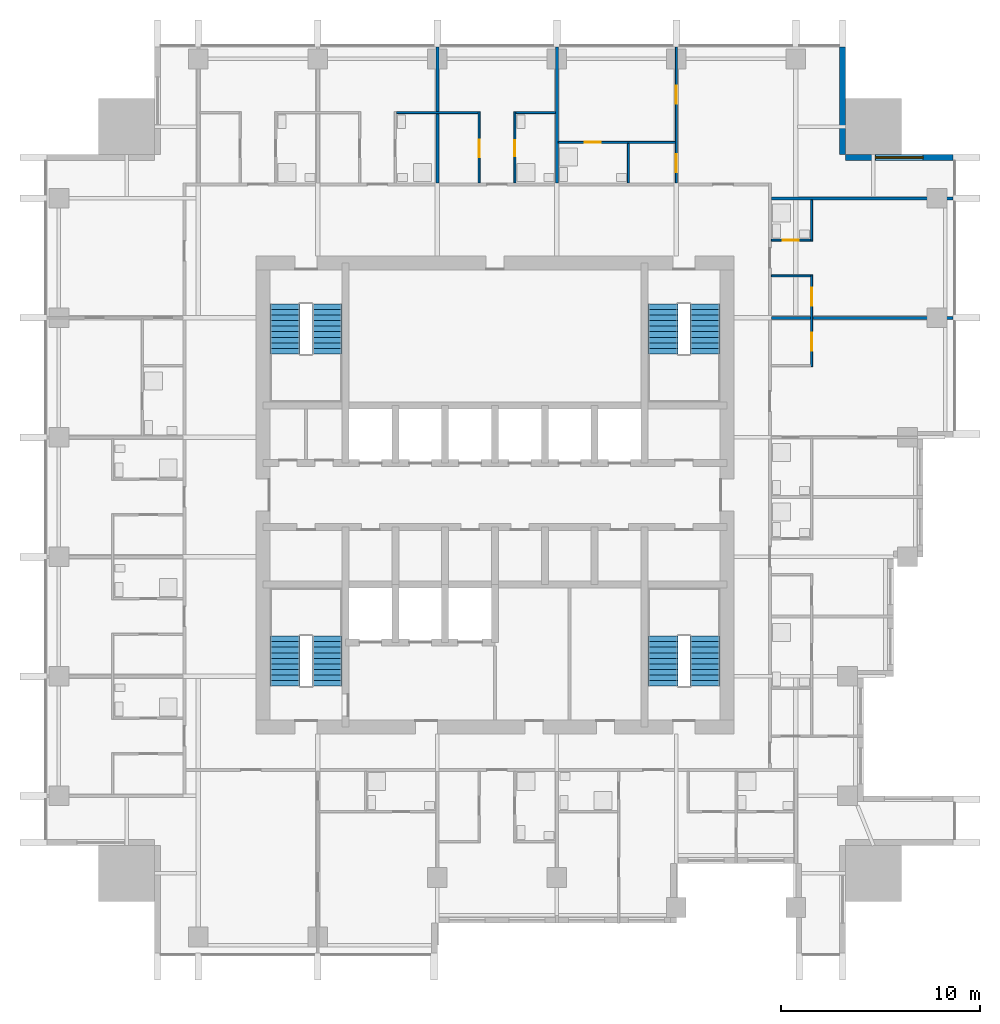
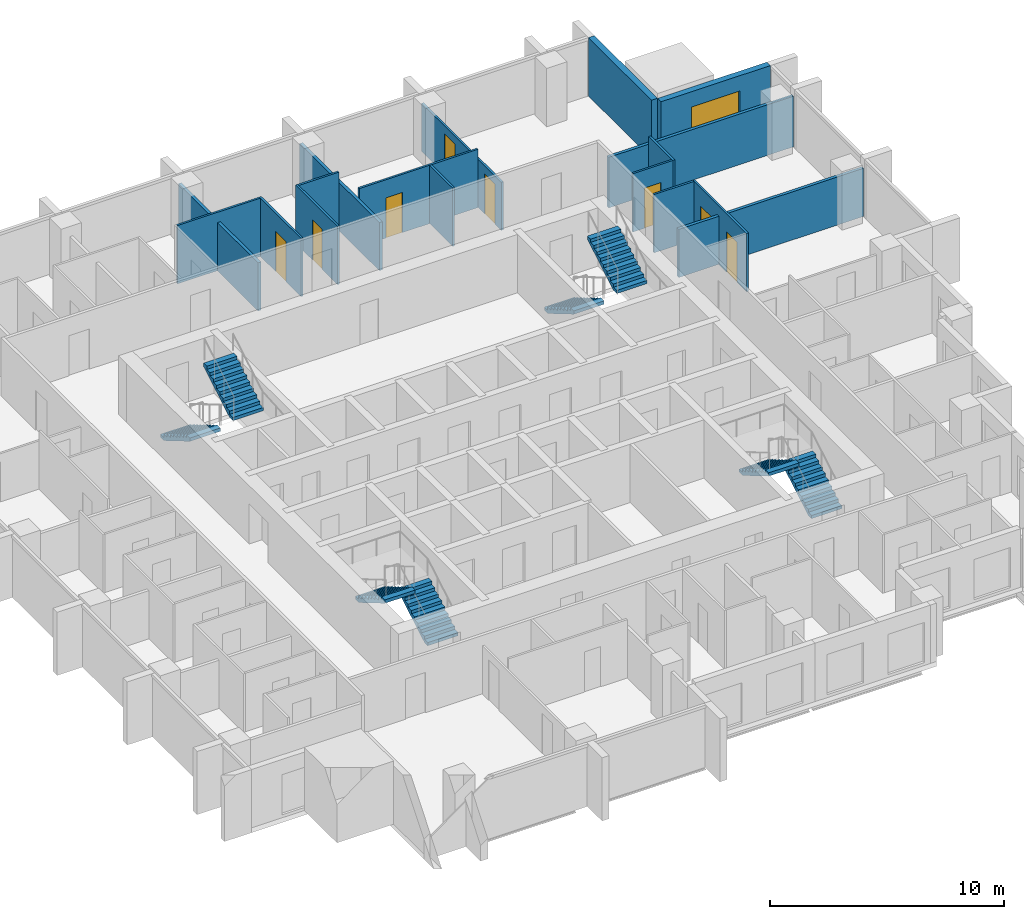
# One storey, part 8 of 10: 17 walls, 8 doors, 8 stair flights, 1 window, 9 openings, 4 elements without a shape of their own.
"""IFC4 building model written with IfcOpenShell, lengths in metres."""

from ifc_helpers import new_model, si_unit, direction, frame, frame_2d, origin, place, context, subcontext, project, spatial, polyline, rectangle, outline, extrude, material, layer, layer_set, type_object, element, fill, aggregate, save


model = new_model("IFC4")

# Units and contexts
model_context = context("Model", 3, precision=1e-05, world=origin(), true_north=direction((0.0, 1.0)))
body_context = subcontext(model_context, "Body", "Model", "MODEL_VIEW")
ifc_project = project(units=[si_unit("LENGTHUNIT", "METRE"), si_unit("AREAUNIT", "SQUARE_METRE"), si_unit("VOLUMEUNIT", "CUBIC_METRE"), si_unit("PLANEANGLEUNIT", "RADIAN"), si_unit("MASSUNIT", "GRAM", prefix="KILO")], contexts=[model_context])

# Site, building, storey
site_placement = place(None, origin())
site = spatial("IfcSite", under=ifc_project, at=site_placement, CompositionType="ELEMENT")
building_placement = place(site_placement, origin())
building = spatial("IfcBuilding", under=site, at=building_placement, Name="Amberfall Residences", CompositionType="ELEMENT")
storey_placement = place(building_placement, frame((0.0, 0.0, 158.199951171875)))
storey = spatial("IfcBuildingStorey", under=building, at=storey_placement, Name="L42", CompositionType="ELEMENT", Elevation=158.199951171875)

# Wall, opening, window
ifc_material_1 = material(Name="Pale stone cladding on insulated backing", Category="masonry")
ifc_layer_1 = layer(ifc_material_1, 0.300048828125)
ifc_layer_set_1 = layer_set([ifc_layer_1], Name="Bronze clad wall 300")
wall_type_1 = type_object("IfcWallType", Name="Bronze clad wall 300", PredefinedType="SOLIDWALL", material=ifc_layer_set_1)
wall_1_placement = place(storey_placement, frame((97.5, 62.449951171875, 0.0), z_axis=(0.0, 0.0, 1.0), x_axis=(-1.0, 0.0, 0.0)))
wall_1 = element("IfcWall", 1, at=wall_1_placement, inside=storey, type_object=wall_type_1, Name="External wall L42 NE", PredefinedType="SOLIDWALL", context=body_context, shape_type="SweptSolid", body=[
    extrude(rectangle(XDim=5.39990234375, YDim=0.300048828125, at=frame_2d((2.699951171875, 0.0))), origin(), (0.0, 0.0, 1.0), 3.050048828125),
])
opening_1_placement = place(wall_1_placement, frame((1.5, 0.0, 0.14990234375)))
opening_1 = element("IfcOpeningElement", 2, at=opening_1_placement, cuts=wall_1, Name="Opening WN5", PredefinedType="OPENING", context=body_context, shape_type="SweptSolid", body=[
    extrude(rectangle(XDim=2.39990234375, YDim=2.10009765625, at=frame_2d((1.199951171875, 1.050048828125))), frame((0.0, 0.159912109375, 0.0), z_axis=(0.0, -1.0, 0.0), x_axis=(1.0, 0.0, 0.0)), (0.0, 0.0, 1.0), 0.320068359375),
])
ifc_material_2 = material(Name="Bronze aluminium framed glazing", Category="aluminium")
window_type = type_object("IfcWindowType", Name="Glazed opening 2400 x 2100 bronze", PartitioningType="DOUBLE_PANEL_VERTICAL", PredefinedType="WINDOW", material=ifc_material_2)
window_placement = place(opening_1_placement, origin())
window = element("IfcWindow", 3, at=window_placement, inside=storey, type_object=window_type, Name="Window L42 NE", OverallHeight=2.10009765625, OverallWidth=2.39990234375, PartitioningType="DOUBLE_PANEL_VERTICAL", PredefinedType="WINDOW", context=body_context, shape_type="SweptSolid", body=[
    extrude(rectangle(XDim=2.39990234375, YDim=2.10009765625, at=frame_2d((1.199951171875, 1.050048828125))), frame((0.0, 0.030029296875, 0.0), z_axis=(0.0, -1.0, 0.0), x_axis=(1.0, 0.0, 0.0)), (0.0, 0.0, 1.0), 0.06005859375),
])
fill(opening_1, window)

# Wall
wall_2_placement = place(storey_placement, frame((91.949951171875, 62.60009765625, 0.0), z_axis=(0.0, 0.0, 1.0), x_axis=(0.0, 1.0, 0.0)))
element("IfcWall", 4, at=wall_2_placement, inside=storey, type_object=wall_type_1, Name="External wall L42 NE", PredefinedType="SOLIDWALL", context=body_context, shape_type="SweptSolid", body=[
    extrude(rectangle(XDim=5.39990234375, YDim=0.300048828125, at=frame_2d((2.699951171875, 0.0))), origin(), (0.0, 0.0, 1.0), 3.050048828125),
])

# Wall, opening, door
ifc_material_3 = material(Name="Gypsum board on metal stud")
ifc_layer_2 = layer(ifc_material_3, 0.10009765625)
ifc_layer_set_2 = layer_set([ifc_layer_2], Name="Flat partition 100")
wall_type_2 = type_object("IfcWallType", Name="Flat partition 100", PredefinedType="PARTITIONING", material=ifc_layer_set_2)
wall_3_placement = place(storey_placement, frame((73.699951171875, 61.175048828125, 0.0), z_axis=(0.0, 0.0, 1.0), x_axis=(0.0, 1.0, 0.0)))
wall_3 = element("IfcWall", 5, at=wall_3_placement, inside=storey, type_object=wall_type_2, Name="Partition 013", PredefinedType="PARTITIONING", context=body_context, shape_type="SweptSolid", body=[
    extrude(rectangle(XDim=3.574951171875, YDim=0.10009765625, at=frame_2d((1.78759765625, 0.0))), origin(), (0.0, 0.0, 1.0), 3.050048828125),
])
opening_2_placement = place(wall_3_placement, frame((1.27490234375, 0.0, 0.0)))
opening_2 = element("IfcOpeningElement", 6, at=opening_2_placement, cuts=wall_3, Name="Opening D41", PredefinedType="OPENING", context=body_context, shape_type="SweptSolid", body=[
    extrude(rectangle(XDim=0.89990234375, YDim=2.10009765625, at=frame_2d((0.449951171875, 1.050048828125))), frame((0.0, 0.06005859375, 0.0), z_axis=(0.0, -1.0, 0.0), x_axis=(1.0, 0.0, 0.0)), (0.0, 0.0, 1.0), 0.1201171875),
])
ifc_material_4 = material(Name="Timber", Category="wood")
door_type_1 = type_object("IfcDoorType", Name="Internal door 900 x 2100", OperationType="SINGLE_SWING_LEFT", PredefinedType="DOOR", material=ifc_material_4)
door_1_placement = place(opening_2_placement, origin())
door_1 = element("IfcDoor", 7, at=door_1_placement, inside=storey, type_object=door_type_1, Name="Door 4210 kitchen", OperationType="SINGLE_SWING_LEFT", OverallHeight=2.10009765625, OverallWidth=0.89990234375, PredefinedType="DOOR", context=body_context, shape_type="SweptSolid", body=[
    extrude(rectangle(XDim=0.89990234375, YDim=2.10009765625, at=frame_2d((0.449951171875, 1.050048828125))), frame((0.0, 0.02490234375, 0.0), z_axis=(0.0, -1.0, 0.0), x_axis=(1.0, 0.0, 0.0)), (0.0, 0.0, 1.0), 0.050048828125),
])
fill(opening_2, door_1)

wall_4_placement = place(storey_placement, frame((75.5, 64.75, 0.0), z_axis=(0.0, 0.0, 1.0), x_axis=(0.0, -1.0, 0.0)))
wall_4 = element("IfcWall", 8, at=wall_4_placement, inside=storey, type_object=wall_type_2, Name="Partition 015", PredefinedType="PARTITIONING", context=body_context, shape_type="SweptSolid", body=[
    extrude(rectangle(XDim=3.574951171875, YDim=0.10009765625, at=frame_2d((1.78759765625, 0.0))), origin(), (0.0, 0.0, 1.0), 3.050048828125),
])
opening_3_placement = place(wall_4_placement, frame((1.449951171875, 0.0, 0.0)))
opening_3 = element("IfcOpeningElement", 9, at=opening_3_placement, cuts=wall_4, Name="Opening D42", PredefinedType="OPENING", context=body_context, shape_type="SweptSolid", body=[
    extrude(rectangle(XDim=0.800048828125, YDim=2.10009765625, at=frame_2d((0.39990234375, 1.050048828125))), frame((0.0, 0.06005859375, 0.0), z_axis=(0.0, -1.0, 0.0), x_axis=(1.0, 0.0, 0.0)), (0.0, 0.0, 1.0), 0.1201171875),
])
door_type_2 = type_object("IfcDoorType", Name="Bathroom door 800 x 2100", OperationType="SINGLE_SWING_LEFT", PredefinedType="DOOR", material=ifc_material_4)
door_2_placement = place(opening_3_placement, origin())
door_2 = element("IfcDoor", 10, at=door_2_placement, inside=storey, type_object=door_type_2, Name="Door 4210 bath1", OperationType="SINGLE_SWING_LEFT", OverallHeight=2.10009765625, OverallWidth=0.800048828125, PredefinedType="DOOR", context=body_context, shape_type="SweptSolid", body=[
    extrude(rectangle(XDim=0.800048828125, YDim=2.10009765625, at=frame_2d((0.39990234375, 1.050048828125))), frame((0.0, 0.02490234375, 0.0), z_axis=(0.0, -1.0, 0.0), x_axis=(1.0, 0.0, 0.0)), (0.0, 0.0, 1.0), 0.050048828125),
])
fill(opening_3, door_2)

# Wall
wall_5_placement = place(storey_placement, frame((81.199951171875, 61.175048828125, 0.0), z_axis=(0.0, 0.0, 1.0), x_axis=(0.0, 1.0, 0.0)))
element("IfcWall", 11, at=wall_5_placement, inside=storey, type_object=wall_type_2, Name="Partition 017", PredefinedType="PARTITIONING", context=body_context, shape_type="SweptSolid", body=[
    extrude(rectangle(XDim=1.974853515625, YDim=0.10009765625, at=frame_2d((0.9873046875, 0.0))), origin(), (0.0, 0.0, 1.0), 3.050048828125),
])

# Wall, openings, doors
wall_6_placement = place(storey_placement, frame((83.60009765625, 61.175048828125, 0.0), z_axis=(0.0, 0.0, 1.0), x_axis=(0.0, 1.0, 0.0)))
wall_6 = element("IfcWall", 12, at=wall_6_placement, inside=storey, type_object=wall_type_2, Name="Partition 018", PredefinedType="PARTITIONING", context=body_context, shape_type="SweptSolid", body=[
    extrude(rectangle(XDim=6.824951171875, YDim=0.10009765625, at=frame_2d((3.41259765625, 0.0))), origin(), (0.0, 0.0, 1.0), 2.51611328125),
])
opening_4_placement = place(wall_6_placement, frame((0.52490234375, 0.0, 0.0)))
opening_4 = element("IfcOpeningElement", 13, at=opening_4_placement, cuts=wall_6, Name="Opening D41", PredefinedType="OPENING", context=body_context, shape_type="SweptSolid", body=[
    extrude(rectangle(XDim=0.89990234375, YDim=2.10009765625, at=frame_2d((0.449951171875, 1.050048828125))), frame((0.0, 0.06005859375, 0.0), z_axis=(0.0, -1.0, 0.0), x_axis=(1.0, 0.0, 0.0)), (0.0, 0.0, 1.0), 0.1201171875),
])
opening_5_placement = place(wall_6_placement, frame((3.97509765625, 0.0, 0.0)))
opening_5 = element("IfcOpeningElement", 14, at=opening_5_placement, cuts=wall_6, Name="Opening D41", PredefinedType="OPENING", context=body_context, shape_type="SweptSolid", body=[
    extrude(rectangle(XDim=0.89990234375, YDim=2.10009765625, at=frame_2d((0.449951171875, 1.050048828125))), frame((0.0, 0.06005859375, 0.0), z_axis=(0.0, -1.0, 0.0), x_axis=(1.0, 0.0, 0.0)), (0.0, 0.0, 1.0), 0.1201171875),
])
door_3_placement = place(opening_4_placement, origin())
door_3 = element("IfcDoor", 15, at=door_3_placement, inside=storey, type_object=door_type_1, Name="Door 4211 kitchen", OperationType="SINGLE_SWING_LEFT", OverallHeight=2.10009765625, OverallWidth=0.89990234375, PredefinedType="DOOR", context=body_context, shape_type="SweptSolid", body=[
    extrude(rectangle(XDim=0.89990234375, YDim=2.10009765625, at=frame_2d((0.449951171875, 1.050048828125))), frame((0.0, 0.02490234375, 0.0), z_axis=(0.0, -1.0, 0.0), x_axis=(1.0, 0.0, 0.0)), (0.0, 0.0, 1.0), 0.050048828125),
])
fill(opening_4, door_3)
door_4_placement = place(opening_5_placement, origin())
door_4 = element("IfcDoor", 16, at=door_4_placement, inside=storey, type_object=door_type_1, Name="Door 4211 bedroom1", OperationType="SINGLE_SWING_LEFT", OverallHeight=2.10009765625, OverallWidth=0.89990234375, PredefinedType="DOOR", context=body_context, shape_type="SweptSolid", body=[
    extrude(rectangle(XDim=0.89990234375, YDim=2.10009765625, at=frame_2d((0.449951171875, 1.050048828125))), frame((0.0, 0.02490234375, 0.0), z_axis=(0.0, -1.0, 0.0), x_axis=(1.0, 0.0, 0.0)), (0.0, 0.0, 1.0), 0.050048828125),
])
fill(opening_5, door_4)

wall_7_placement = place(storey_placement, frame((90.39990234375, 51.949951171875, 0.0), z_axis=(0.0, 0.0, 1.0), x_axis=(0.0, 1.0, 0.0)))
wall_7 = element("IfcWall", 17, at=wall_7_placement, inside=storey, type_object=wall_type_2, Name="Partition 023", PredefinedType="PARTITIONING", context=body_context, shape_type="SweptSolid", body=[
    extrude(rectangle(XDim=4.60009765625, YDim=0.10009765625, at=frame_2d((2.300048828125, 0.0))), origin(), (0.0, 0.0, 1.0), 3.050048828125),
])
opening_6_placement = place(wall_7_placement, frame((0.800048828125, 0.0, 0.0)))
opening_6 = element("IfcOpeningElement", 18, at=opening_6_placement, cuts=wall_7, Name="Opening D41", PredefinedType="OPENING", context=body_context, shape_type="SweptSolid", body=[
    extrude(rectangle(XDim=0.89990234375, YDim=2.10009765625, at=frame_2d((0.449951171875, 1.050048828125))), frame((0.0, 0.06005859375, 0.0), z_axis=(0.0, -1.0, 0.0), x_axis=(1.0, 0.0, 0.0)), (0.0, 0.0, 1.0), 0.1201171875),
])
opening_7_placement = place(wall_7_placement, frame((3.050048828125, 0.0, 0.0)))
opening_7 = element("IfcOpeningElement", 19, at=opening_7_placement, cuts=wall_7, Name="Opening D41", PredefinedType="OPENING", context=body_context, shape_type="SweptSolid", body=[
    extrude(rectangle(XDim=0.89990234375, YDim=2.10009765625, at=frame_2d((0.449951171875, 1.050048828125))), frame((0.0, 0.06005859375, 0.0), z_axis=(0.0, -1.0, 0.0), x_axis=(1.0, 0.0, 0.0)), (0.0, 0.0, 1.0), 0.1201171875),
])
door_5_placement = place(opening_6_placement, origin())
door_5 = element("IfcDoor", 20, at=door_5_placement, inside=storey, type_object=door_type_1, Name="Door 4206 kitchen", OperationType="SINGLE_SWING_LEFT", OverallHeight=2.10009765625, OverallWidth=0.89990234375, PredefinedType="DOOR", context=body_context, shape_type="SweptSolid", body=[
    extrude(rectangle(XDim=0.89990234375, YDim=2.10009765625, at=frame_2d((0.449951171875, 1.050048828125))), frame((0.0, 0.02490234375, 0.0), z_axis=(0.0, -1.0, 0.0), x_axis=(1.0, 0.0, 0.0)), (0.0, 0.0, 1.0), 0.050048828125),
])
fill(opening_6, door_5)
door_6_placement = place(opening_7_placement, origin())
door_6 = element("IfcDoor", 21, at=door_6_placement, inside=storey, type_object=door_type_1, Name="Door 4207 kitchen", OperationType="SINGLE_SWING_LEFT", OverallHeight=2.10009765625, OverallWidth=0.89990234375, PredefinedType="DOOR", context=body_context, shape_type="SweptSolid", body=[
    extrude(rectangle(XDim=0.89990234375, YDim=2.10009765625, at=frame_2d((0.449951171875, 1.050048828125))), frame((0.0, 0.02490234375, 0.0), z_axis=(0.0, -1.0, 0.0), x_axis=(1.0, 0.0, 0.0)), (0.0, 0.0, 1.0), 0.050048828125),
])
fill(opening_7, door_6)

# Walls
wall_8_placement = place(storey_placement, frame((90.39990234375, 58.25, 0.0), z_axis=(0.0, 0.0, 1.0), x_axis=(0.0, 1.0, 0.0)))
element("IfcWall", 22, at=wall_8_placement, inside=storey, type_object=wall_type_2, Name="Partition 024", PredefinedType="PARTITIONING", context=body_context, shape_type="SweptSolid", body=[
    extrude(rectangle(XDim=2.074951171875, YDim=0.10009765625, at=frame_2d((1.03759765625, 0.0))), origin(), (0.0, 0.0, 1.0), 3.050048828125),
])
wall_9_placement = place(storey_placement, frame((69.550048828125, 64.699951171875, 0.0), z_axis=(0.0, 0.0, 1.0), x_axis=(1.0, 0.0, 0.0)))
element("IfcWall", 23, at=wall_9_placement, inside=storey, type_object=wall_type_2, Name="Partition 027", PredefinedType="PARTITIONING", context=body_context, shape_type="SweptSolid", body=[
    extrude(rectangle(XDim=4.099853515625, YDim=0.10009765625, at=frame_2d((2.0498046875, 0.0))), origin(), (0.0, 0.0, 1.0), 3.050048828125),
])
wall_10_placement = place(storey_placement, frame((75.550048828125, 64.699951171875, 0.0), z_axis=(0.0, 0.0, 1.0), x_axis=(1.0, 0.0, 0.0)))
element("IfcWall", 24, at=wall_10_placement, inside=storey, type_object=wall_type_2, Name="Partition 028", PredefinedType="PARTITIONING", context=body_context, shape_type="SweptSolid", body=[
    extrude(rectangle(XDim=1.974853515625, YDim=0.10009765625, at=frame_2d((0.9873046875, 0.0))), origin(), (0.0, 0.0, 1.0), 3.050048828125),
])

# Wall, opening, door
wall_11_placement = place(storey_placement, frame((83.550048828125, 63.199951171875, 0.0), z_axis=(0.0, 0.0, 1.0), x_axis=(-1.0, 0.0, 0.0)))
wall_11 = element("IfcWall", 25, at=wall_11_placement, inside=storey, type_object=wall_type_2, Name="Partition 029", PredefinedType="PARTITIONING", context=body_context, shape_type="SweptSolid", body=[
    extrude(rectangle(XDim=5.875, YDim=0.10009765625, at=frame_2d((2.9375, 0.0))), origin(), (0.0, 0.0, 1.0), 3.050048828125),
])
opening_8_placement = place(wall_11_placement, frame((3.75, 0.0, 0.0)))
opening_8 = element("IfcOpeningElement", 26, at=opening_8_placement, cuts=wall_11, Name="Opening D42", PredefinedType="OPENING", context=body_context, shape_type="SweptSolid", body=[
    extrude(rectangle(XDim=0.800048828125, YDim=2.10009765625, at=frame_2d((0.39990234375, 1.050048828125))), frame((0.0, 0.06005859375, 0.0), z_axis=(0.0, -1.0, 0.0), x_axis=(1.0, 0.0, 0.0)), (0.0, 0.0, 1.0), 0.1201171875),
])
door_7_placement = place(opening_8_placement, origin())
door_7 = element("IfcDoor", 27, at=door_7_placement, inside=storey, type_object=door_type_2, Name="Door 4211 bath1", OperationType="SINGLE_SWING_LEFT", OverallHeight=2.10009765625, OverallWidth=0.800048828125, PredefinedType="DOOR", context=body_context, shape_type="SweptSolid", body=[
    extrude(rectangle(XDim=0.800048828125, YDim=2.10009765625, at=frame_2d((0.39990234375, 1.050048828125))), frame((0.0, 0.02490234375, 0.0), z_axis=(0.0, -1.0, 0.0), x_axis=(1.0, 0.0, 0.0)), (0.0, 0.0, 1.0), 0.050048828125),
])
fill(opening_8, door_7)

wall_12_placement = place(storey_placement, frame((88.375, 58.300048828125, 0.0), z_axis=(0.0, 0.0, 1.0), x_axis=(1.0, 0.0, 0.0)))
wall_12 = element("IfcWall", 28, at=wall_12_placement, inside=storey, type_object=wall_type_2, Name="Partition 030", PredefinedType="PARTITIONING", context=body_context, shape_type="SweptSolid", body=[
    extrude(rectangle(XDim=1.97509765625, YDim=0.10009765625, at=frame_2d((0.987548828125, 0.0))), origin(), (0.0, 0.0, 1.0), 3.050048828125),
])
opening_9_placement = place(wall_12_placement, frame((0.574951171875, 0.0, 0.0)))
opening_9 = element("IfcOpeningElement", 29, at=opening_9_placement, cuts=wall_12, Name="Opening D42", PredefinedType="OPENING", context=body_context, shape_type="SweptSolid", body=[
    extrude(rectangle(XDim=0.800048828125, YDim=2.10009765625, at=frame_2d((0.39990234375, 1.050048828125))), frame((0.0, 0.06005859375, 0.0), z_axis=(0.0, -1.0, 0.0), x_axis=(1.0, 0.0, 0.0)), (0.0, 0.0, 1.0), 0.1201171875),
])
door_8_placement = place(opening_9_placement, origin())
door_8 = element("IfcDoor", 30, at=door_8_placement, inside=storey, type_object=door_type_2, Name="Door 4207 bath1", OperationType="SINGLE_SWING_LEFT", OverallHeight=2.10009765625, OverallWidth=0.800048828125, PredefinedType="DOOR", context=body_context, shape_type="SweptSolid", body=[
    extrude(rectangle(XDim=0.800048828125, YDim=2.10009765625, at=frame_2d((0.39990234375, 1.050048828125))), frame((0.0, 0.02490234375, 0.0), z_axis=(0.0, -1.0, 0.0), x_axis=(1.0, 0.0, 0.0)), (0.0, 0.0, 1.0), 0.050048828125),
])
fill(opening_9, door_8)

# Walls
wall_13_placement = place(storey_placement, frame((88.375, 56.5, 0.0), z_axis=(0.0, 0.0, 1.0), x_axis=(1.0, 0.0, 0.0)))
element("IfcWall", 31, at=wall_13_placement, inside=storey, type_object=wall_type_2, Name="Partition 031", PredefinedType="PARTITIONING", context=body_context, shape_type="SweptSolid", body=[
    extrude(rectangle(XDim=1.97509765625, YDim=0.10009765625, at=frame_2d((0.987548828125, 0.0))), origin(), (0.0, 0.0, 1.0), 3.050048828125),
])
ifc_material_5 = material(Name="Blockwork, plastered", Category="masonry")
ifc_layer_3 = layer(ifc_material_5, 0.14990234375)
ifc_layer_set_3 = layer_set([ifc_layer_3], Name="Flat separating wall 150")
wall_type_3 = type_object("IfcWallType", Name="Flat separating wall 150", PredefinedType="PARTITIONING", material=ifc_layer_set_3)
for number, where, z_axis, x_axis, name in (
    (32, (71.60009765625, 61.175048828125, 0.0), (0.0, 0.0, 1.0), (0.0, 1.0, 0.0), "Separating wall 055"),
    (33, (77.60009765625, 61.175048828125, 0.0), (0.0, 0.0, 1.0), (0.0, 1.0, 0.0), "Separating wall 057"),
):
    element("IfcWall", number, at=place(storey_placement, frame(where, z_axis=z_axis, x_axis=x_axis)), inside=storey, type_object=wall_type_3, Name=name, PredefinedType="PARTITIONING", context=body_context, shape_type="SweptSolid", body=[
        extrude(rectangle(XDim=6.824951171875, YDim=0.14990234375, at=frame_2d((3.41259765625, 0.0))), origin(), (0.0, 0.0, 1.0), 2.51611328125),
    ])
wall_14_placement = place(storey_placement, frame((88.375, 60.39990234375, 0.0), z_axis=(0.0, 0.0, 1.0), x_axis=(1.0, 0.0, 0.0)))
element("IfcWall", 34, at=wall_14_placement, inside=storey, type_object=wall_type_3, Name="Separating wall 061", PredefinedType="PARTITIONING", context=body_context, shape_type="SweptSolid", body=[
    extrude(rectangle(XDim=9.125, YDim=0.14990234375, at=frame_2d((4.5625, 0.0))), origin(), (0.0, 0.0, 1.0), 2.64697265625),
])
wall_15_placement = place(storey_placement, frame((88.375, 54.39990234375, 0.0), z_axis=(0.0, 0.0, 1.0), x_axis=(1.0, 0.0, 0.0)))
element("IfcWall", 35, at=wall_15_placement, inside=storey, type_object=wall_type_3, Name="Separating wall 062", PredefinedType="PARTITIONING", context=body_context, shape_type="SweptSolid", body=[
    extrude(rectangle(XDim=9.125, YDim=0.14990234375, at=frame_2d((4.5625, 0.0))), origin(), (0.0, 0.0, 1.0), 2.51611328125),
])

# Stair, stair flights
ifc_material_6 = material(Name="Concrete C40", Category="concrete")
stair_type = type_object("IfcStairType", Name="Exit stair 20 risers 165.0 mm", PredefinedType="HALF_TURN_STAIR", material=ifc_material_6)
stair_1_placement = place(storey_placement, origin())
stair_1 = element("IfcStair", 36, at=stair_1_placement, inside=storey, type_object=stair_type, Name="L42 Exit stair 1", PredefinedType="HALF_TURN_STAIR")
stair_flight_type = type_object("IfcStairFlightType", Name="Stair flight 10 risers 165.0 mm", PredefinedType="STRAIGHT", material=ifc_material_6)
stair_flight_1_placement = place(storey_placement, frame((66.074951171875, 35.89990234375, 0.0), z_axis=(0.0, 0.0, 1.0), x_axis=(0.0, 1.0, 0.0)))
stair_flight_1 = element("IfcStairFlight", 37, at=stair_flight_1_placement, type_object=stair_flight_type, Name="ST3 flight 1", NumberOfRisers=10, NumberOfTreads=9, PredefinedType="STRAIGHT", RiserHeight=0.165, TreadLength=0.28, context=body_context, shape_type="SweptSolid", body=[
    extrude(outline(polyline([(0.0, 0.0), (0.0, 0.1650390625), (0.280029296875, 0.1650390625), (0.280029296875, 0.330078125), (0.56005859375, 0.330078125), (0.56005859375, 0.4951171875), (0.840087890625, 0.4951171875), (0.840087890625, 0.659912109375), (1.1201171875, 0.659912109375), (1.1201171875, 0.824951171875), (1.39990234375, 0.824951171875), (1.39990234375, 0.989990234375), (1.679931640625, 0.989990234375), (1.679931640625, 1.155029296875), (1.9599609375, 1.155029296875), (1.9599609375, 1.320068359375), (2.239990234375, 1.320068359375), (2.239990234375, 1.485107421875), (2.52001953125, 1.485107421875), (2.52001953125, 1.64990234375), (2.52001953125, 1.31103515625), (0.295166015625, 0.0), (0.0, 0.0)])), frame((0.0, 0.75, 0.0), z_axis=(0.0, -1.0, 0.0), x_axis=(1.0, 0.0, 0.0)), (0.0, 0.0, 1.0), 1.5),
])
stair_flight_2_placement = place(storey_placement, frame((63.949951171875, 38.419921875, 1.650146484375), z_axis=(0.0, 0.0, 1.0), x_axis=(0.0, -1.0, 0.0)))
stair_flight_2 = element("IfcStairFlight", 38, at=stair_flight_2_placement, type_object=stair_flight_type, Name="ST3 flight 2", NumberOfRisers=10, NumberOfTreads=9, PredefinedType="STRAIGHT", RiserHeight=0.165, TreadLength=0.28, context=body_context, shape_type="SweptSolid", body=[
    extrude(outline(polyline([(0.0, 0.0), (0.0, 0.1650390625), (0.280029296875, 0.1650390625), (0.280029296875, 0.330078125), (0.56005859375, 0.330078125), (0.56005859375, 0.4951171875), (0.840087890625, 0.4951171875), (0.840087890625, 0.659912109375), (1.1201171875, 0.659912109375), (1.1201171875, 0.824951171875), (1.39990234375, 0.824951171875), (1.39990234375, 0.989990234375), (1.679931640625, 0.989990234375), (1.679931640625, 1.155029296875), (1.9599609375, 1.155029296875), (1.9599609375, 1.320068359375), (2.239990234375, 1.320068359375), (2.239990234375, 1.485107421875), (2.52001953125, 1.485107421875), (2.52001953125, 1.64990234375), (2.52001953125, 1.31103515625), (0.295166015625, 0.0), (0.0, 0.0)])), frame((0.0, 0.75, 0.0), z_axis=(0.0, -1.0, 0.0), x_axis=(1.0, 0.0, 0.0)), (0.0, 0.0, 1.0), 1.5),
])
aggregate(stair_1, [stair_flight_1, stair_flight_2])

stair_2_placement = place(storey_placement, origin())
stair_2 = element("IfcStair", 39, at=stair_2_placement, inside=storey, type_object=stair_type, Name="L42 Exit stair 2", PredefinedType="HALF_TURN_STAIR")
stair_flight_3_placement = place(storey_placement, frame((85.050048828125, 35.89990234375, 0.0), z_axis=(0.0, 0.0, 1.0), x_axis=(0.0, 1.0, 0.0)))
stair_flight_3 = element("IfcStairFlight", 40, at=stair_flight_3_placement, type_object=stair_flight_type, Name="ST3 flight 1", NumberOfRisers=10, NumberOfTreads=9, PredefinedType="STRAIGHT", RiserHeight=0.165, TreadLength=0.28, context=body_context, shape_type="SweptSolid", body=[
    extrude(outline(polyline([(0.0, 0.0), (0.0, 0.1650390625), (0.280029296875, 0.1650390625), (0.280029296875, 0.330078125), (0.56005859375, 0.330078125), (0.56005859375, 0.4951171875), (0.840087890625, 0.4951171875), (0.840087890625, 0.659912109375), (1.1201171875, 0.659912109375), (1.1201171875, 0.824951171875), (1.39990234375, 0.824951171875), (1.39990234375, 0.989990234375), (1.679931640625, 0.989990234375), (1.679931640625, 1.155029296875), (1.9599609375, 1.155029296875), (1.9599609375, 1.320068359375), (2.239990234375, 1.320068359375), (2.239990234375, 1.485107421875), (2.52001953125, 1.485107421875), (2.52001953125, 1.64990234375), (2.52001953125, 1.31103515625), (0.295166015625, 0.0), (0.0, 0.0)])), frame((0.0, 0.75, 0.0), z_axis=(0.0, -1.0, 0.0), x_axis=(1.0, 0.0, 0.0)), (0.0, 0.0, 1.0), 1.5),
])
stair_flight_4_placement = place(storey_placement, frame((82.925048828125, 38.419921875, 1.650146484375), z_axis=(0.0, 0.0, 1.0), x_axis=(0.0, -1.0, 0.0)))
stair_flight_4 = element("IfcStairFlight", 41, at=stair_flight_4_placement, type_object=stair_flight_type, Name="ST3 flight 2", NumberOfRisers=10, NumberOfTreads=9, PredefinedType="STRAIGHT", RiserHeight=0.165, TreadLength=0.28, context=body_context, shape_type="SweptSolid", body=[
    extrude(outline(polyline([(0.0, 0.0), (0.0, 0.1650390625), (0.280029296875, 0.1650390625), (0.280029296875, 0.330078125), (0.56005859375, 0.330078125), (0.56005859375, 0.4951171875), (0.840087890625, 0.4951171875), (0.840087890625, 0.659912109375), (1.1201171875, 0.659912109375), (1.1201171875, 0.824951171875), (1.39990234375, 0.824951171875), (1.39990234375, 0.989990234375), (1.679931640625, 0.989990234375), (1.679931640625, 1.155029296875), (1.9599609375, 1.155029296875), (1.9599609375, 1.320068359375), (2.239990234375, 1.320068359375), (2.239990234375, 1.485107421875), (2.52001953125, 1.485107421875), (2.52001953125, 1.64990234375), (2.52001953125, 1.31103515625), (0.295166015625, 0.0), (0.0, 0.0)])), frame((0.0, 0.75, 0.0), z_axis=(0.0, -1.0, 0.0), x_axis=(1.0, 0.0, 0.0)), (0.0, 0.0, 1.0), 1.5),
])
aggregate(stair_2, [stair_flight_3, stair_flight_4])

stair_3_placement = place(storey_placement, origin())
stair_3 = element("IfcStair", 42, at=stair_3_placement, inside=storey, type_object=stair_type, Name="L42 Exit stair 3", PredefinedType="HALF_TURN_STAIR")
stair_flight_5_placement = place(storey_placement, frame((82.925048828125, 55.10009765625, 0.0), z_axis=(0.0, 0.0, 1.0), x_axis=(0.0, -1.0, 0.0)))
stair_flight_5 = element("IfcStairFlight", 43, at=stair_flight_5_placement, type_object=stair_flight_type, Name="ST3 flight 1", NumberOfRisers=10, NumberOfTreads=9, PredefinedType="STRAIGHT", RiserHeight=0.165, TreadLength=0.28, context=body_context, shape_type="SweptSolid", body=[
    extrude(outline(polyline([(0.0, 0.0), (0.0, 0.1650390625), (0.280029296875, 0.1650390625), (0.280029296875, 0.330078125), (0.56005859375, 0.330078125), (0.56005859375, 0.4951171875), (0.840087890625, 0.4951171875), (0.840087890625, 0.659912109375), (1.1201171875, 0.659912109375), (1.1201171875, 0.824951171875), (1.39990234375, 0.824951171875), (1.39990234375, 0.989990234375), (1.679931640625, 0.989990234375), (1.679931640625, 1.155029296875), (1.9599609375, 1.155029296875), (1.9599609375, 1.320068359375), (2.239990234375, 1.320068359375), (2.239990234375, 1.485107421875), (2.52001953125, 1.485107421875), (2.52001953125, 1.64990234375), (2.52001953125, 1.31103515625), (0.295166015625, 0.0), (0.0, 0.0)])), frame((0.0, 0.75, 0.0), z_axis=(0.0, -1.0, 0.0), x_axis=(1.0, 0.0, 0.0)), (0.0, 0.0, 1.0), 1.5),
])
stair_flight_6_placement = place(storey_placement, frame((85.050048828125, 52.580078125, 1.650146484375), z_axis=(0.0, 0.0, 1.0), x_axis=(0.0, 1.0, 0.0)))
stair_flight_6 = element("IfcStairFlight", 44, at=stair_flight_6_placement, type_object=stair_flight_type, Name="ST3 flight 2", NumberOfRisers=10, NumberOfTreads=9, PredefinedType="STRAIGHT", RiserHeight=0.165, TreadLength=0.28, context=body_context, shape_type="SweptSolid", body=[
    extrude(outline(polyline([(0.0, 0.0), (0.0, 0.1650390625), (0.280029296875, 0.1650390625), (0.280029296875, 0.330078125), (0.56005859375, 0.330078125), (0.56005859375, 0.4951171875), (0.840087890625, 0.4951171875), (0.840087890625, 0.659912109375), (1.1201171875, 0.659912109375), (1.1201171875, 0.824951171875), (1.39990234375, 0.824951171875), (1.39990234375, 0.989990234375), (1.679931640625, 0.989990234375), (1.679931640625, 1.155029296875), (1.9599609375, 1.155029296875), (1.9599609375, 1.320068359375), (2.239990234375, 1.320068359375), (2.239990234375, 1.485107421875), (2.52001953125, 1.485107421875), (2.52001953125, 1.64990234375), (2.52001953125, 1.31103515625), (0.295166015625, 0.0), (0.0, 0.0)])), frame((0.0, 0.75, 0.0), z_axis=(0.0, -1.0, 0.0), x_axis=(1.0, 0.0, 0.0)), (0.0, 0.0, 1.0), 1.5),
])
aggregate(stair_3, [stair_flight_5, stair_flight_6])

stair_4_placement = place(storey_placement, origin())
stair_4 = element("IfcStair", 45, at=stair_4_placement, inside=storey, type_object=stair_type, Name="L42 Exit stair 4", PredefinedType="HALF_TURN_STAIR")
stair_flight_7_placement = place(storey_placement, frame((63.949951171875, 55.10009765625, 0.0), z_axis=(0.0, 0.0, 1.0), x_axis=(0.0, -1.0, 0.0)))
stair_flight_7 = element("IfcStairFlight", 46, at=stair_flight_7_placement, type_object=stair_flight_type, Name="ST3 flight 1", NumberOfRisers=10, NumberOfTreads=9, PredefinedType="STRAIGHT", RiserHeight=0.165, TreadLength=0.28, context=body_context, shape_type="SweptSolid", body=[
    extrude(outline(polyline([(0.0, 0.0), (0.0, 0.1650390625), (0.280029296875, 0.1650390625), (0.280029296875, 0.330078125), (0.56005859375, 0.330078125), (0.56005859375, 0.4951171875), (0.840087890625, 0.4951171875), (0.840087890625, 0.659912109375), (1.1201171875, 0.659912109375), (1.1201171875, 0.824951171875), (1.39990234375, 0.824951171875), (1.39990234375, 0.989990234375), (1.679931640625, 0.989990234375), (1.679931640625, 1.155029296875), (1.9599609375, 1.155029296875), (1.9599609375, 1.320068359375), (2.239990234375, 1.320068359375), (2.239990234375, 1.485107421875), (2.52001953125, 1.485107421875), (2.52001953125, 1.64990234375), (2.52001953125, 1.31103515625), (0.295166015625, 0.0), (0.0, 0.0)])), frame((0.0, 0.75, 0.0), z_axis=(0.0, -1.0, 0.0), x_axis=(1.0, 0.0, 0.0)), (0.0, 0.0, 1.0), 1.5),
])
stair_flight_8_placement = place(storey_placement, frame((66.074951171875, 52.580078125, 1.650146484375), z_axis=(0.0, 0.0, 1.0), x_axis=(0.0, 1.0, 0.0)))
stair_flight_8 = element("IfcStairFlight", 47, at=stair_flight_8_placement, type_object=stair_flight_type, Name="ST3 flight 2", NumberOfRisers=10, NumberOfTreads=9, PredefinedType="STRAIGHT", RiserHeight=0.165, TreadLength=0.28, context=body_context, shape_type="SweptSolid", body=[
    extrude(outline(polyline([(0.0, 0.0), (0.0, 0.1650390625), (0.280029296875, 0.1650390625), (0.280029296875, 0.330078125), (0.56005859375, 0.330078125), (0.56005859375, 0.4951171875), (0.840087890625, 0.4951171875), (0.840087890625, 0.659912109375), (1.1201171875, 0.659912109375), (1.1201171875, 0.824951171875), (1.39990234375, 0.824951171875), (1.39990234375, 0.989990234375), (1.679931640625, 0.989990234375), (1.679931640625, 1.155029296875), (1.9599609375, 1.155029296875), (1.9599609375, 1.320068359375), (2.239990234375, 1.320068359375), (2.239990234375, 1.485107421875), (2.52001953125, 1.485107421875), (2.52001953125, 1.64990234375), (2.52001953125, 1.31103515625), (0.295166015625, 0.0), (0.0, 0.0)])), frame((0.0, 0.75, 0.0), z_axis=(0.0, -1.0, 0.0), x_axis=(1.0, 0.0, 0.0)), (0.0, 0.0, 1.0), 1.5),
])
aggregate(stair_4, [stair_flight_7, stair_flight_8])

save(model, "model.ifc")
